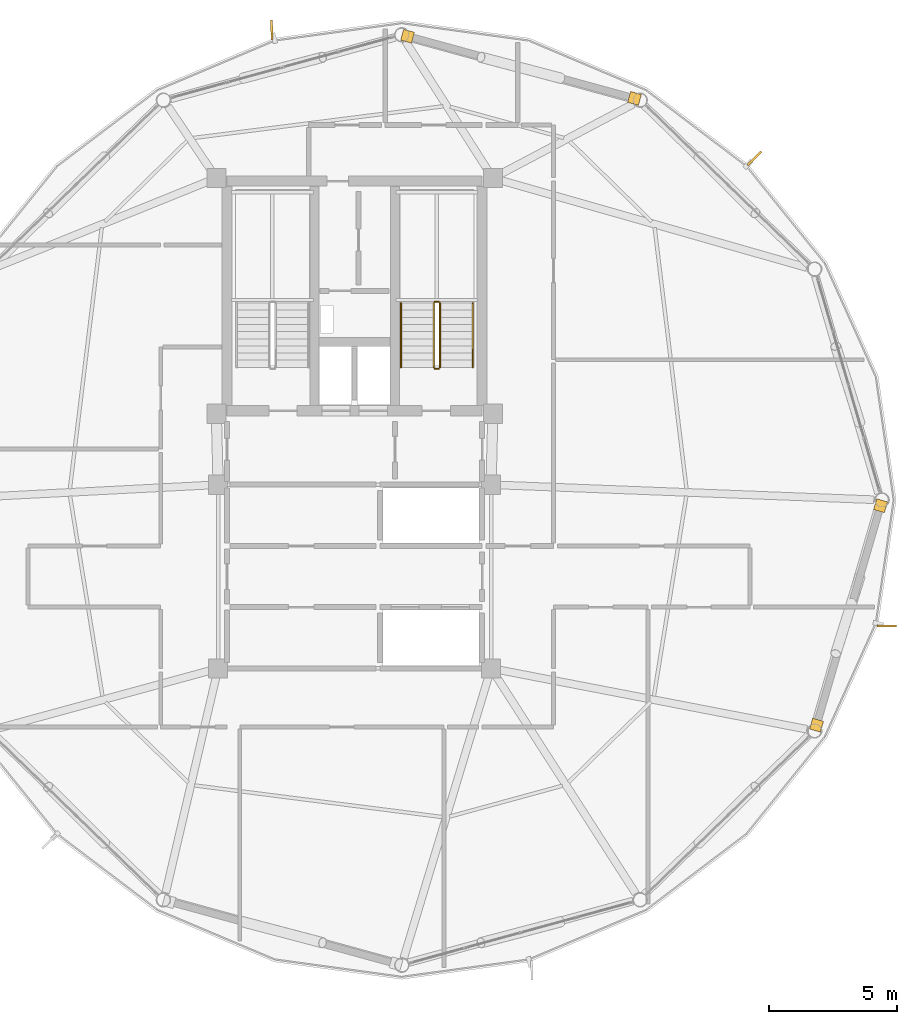
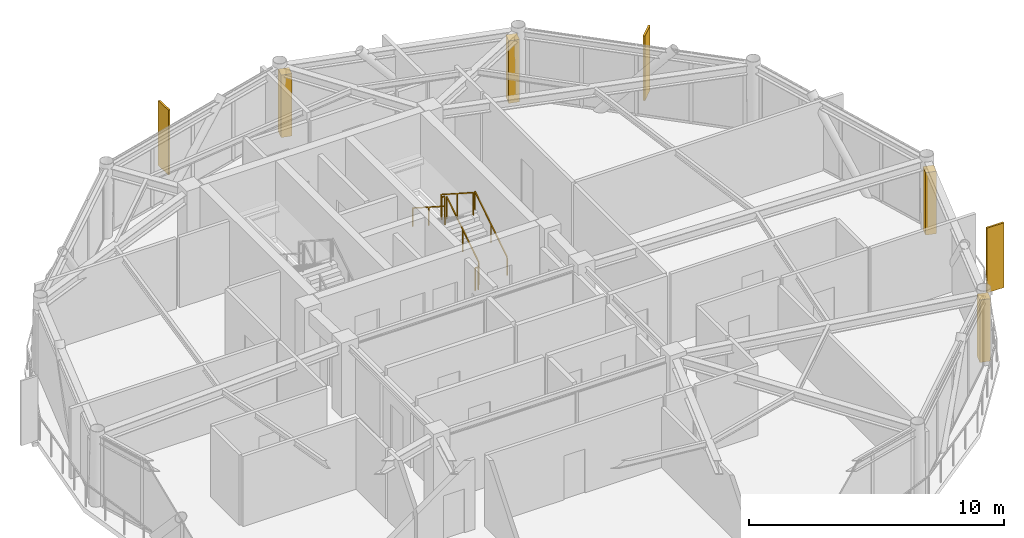
# One storey, part 27 of 27: 6 railings, 4 coverings, 3 shading devices.
"""IFC4 building model written with IfcOpenShell, lengths in metres."""

from ifc_helpers import new_model, si_unit, direction, frame, origin, origin_2d, place, context, subcontext, project, spatial, rectangle, extrude, source, transform, mapped, material, layer, layer_set, type_object, type_shapes, element, save


model = new_model("IFC4")

# Units and contexts
model_context = context("Model", 3, precision=1e-05, world=origin(), true_north=direction((0.0, 1.0)))
body_context = subcontext(model_context, "Body", "Model", "MODEL_VIEW")
ifc_project = project(units=[si_unit("LENGTHUNIT", "METRE"), si_unit("AREAUNIT", "SQUARE_METRE"), si_unit("VOLUMEUNIT", "CUBIC_METRE"), si_unit("PLANEANGLEUNIT", "RADIAN"), si_unit("MASSUNIT", "GRAM", prefix="KILO")], contexts=[model_context])

# Site, building, storey
site_placement = place(None, origin())
site = spatial("IfcSite", under=ifc_project, at=site_placement, CompositionType="ELEMENT")
building_placement = place(site_placement, origin())
building = spatial("IfcBuilding", under=site, at=building_placement, Name="Varnakorn Sky Granary", CompositionType="ELEMENT")
storey_placement = place(building_placement, frame((0.0, 0.0, 229.199951171875)))
storey = spatial("IfcBuildingStorey", under=building, at=storey_placement, Name="L58", CompositionType="ELEMENT", Elevation=229.199951171875)

# Railings
ifc_material_1 = material(Name="Brushed Stainless Steel 316", Category="steel")
railing_type_1 = type_object("IfcRailingType", Name="RL-STAIR-1100", PredefinedType="GUARDRAIL", material=ifc_material_1)
railing_1_placement = place(storey_placement, frame((6.35009765625, 5.199951171875, 0.179931640625)))
element("IfcRailing", 1, at=railing_1_placement, inside=storey, type_object=railing_type_1, Name="L58 ST-2 stair guard 1", PredefinedType="GUARDRAIL", context=body_context, shape_type="SweptSolid", body=[
    extrude(rectangle(XDim=0.048095703125, YDim=0.048095703125, at=origin_2d()), frame((0.0, 0.0, 1.076171875), z_axis=(0.0, 0.841162588446, 0.540782303519), x_axis=(-1.0, 0.0, 0.0)), (0.0, 0.0, 1.0), 2.995849609375),
    extrude(rectangle(XDim=0.0419921875, YDim=0.0419921875, at=origin_2d()), origin(), (0.0, 0.0, 1.0), 1.048095703125),
    extrude(rectangle(XDim=0.0419921875, YDim=0.0419921875, at=origin_2d()), frame((0.0, 1.260009765625, 0.81005859375)), (0.0, 0.0, 1.0), 1.048095703125),
    extrude(rectangle(XDim=0.0419921875, YDim=0.0419921875, at=origin_2d()), frame((0.0, 2.52001953125, 1.6201171875)), (0.0, 0.0, 1.0), 1.048095703125),
])
railing_2_placement = place(storey_placement, frame((6.300048828125, 7.77001953125, 1.800048828125)))
element("IfcRailing", 2, at=railing_2_placement, inside=storey, type_object=railing_type_1, Name="L58 ST-2 stair guard 2", PredefinedType="GUARDRAIL", context=body_context, shape_type="SweptSolid", body=[
    extrude(rectangle(XDim=0.048095703125, YDim=0.048095703125, at=origin_2d()), frame((0.0, 0.0, 1.076171875), z_axis=(-1.0, 0.0, 0.0), x_axis=(0.0, -1.0, 0.0)), (0.0, 0.0, 1.0), 0.150146484375),
    extrude(rectangle(XDim=0.0419921875, YDim=0.0419921875, at=origin_2d()), origin(), (0.0, 0.0, 1.0), 1.048095703125),
    extrude(rectangle(XDim=0.0419921875, YDim=0.0419921875, at=origin_2d()), frame((-0.150146484375, 0.0, 0.0)), (0.0, 0.0, 1.0), 1.048095703125),
])
railing_3_placement = place(storey_placement, frame((6.10009765625, 7.719970703125, 1.97998046875)))
element("IfcRailing", 3, at=railing_3_placement, inside=storey, type_object=railing_type_1, Name="L58 ST-2 stair guard 3", PredefinedType="GUARDRAIL", context=body_context, shape_type="SweptSolid", body=[
    extrude(rectangle(XDim=0.048095703125, YDim=0.048095703125, at=origin_2d()), frame((0.0, 0.0, 1.076171875), z_axis=(0.0, -0.841162588446, 0.540782303519), x_axis=(1.0, 0.0, 0.0)), (0.0, 0.0, 1.0), 2.995849609375),
    extrude(rectangle(XDim=0.0419921875, YDim=0.0419921875, at=origin_2d()), origin(), (0.0, 0.0, 1.0), 1.048095703125),
    extrude(rectangle(XDim=0.0419921875, YDim=0.0419921875, at=origin_2d()), frame((0.0, -1.260009765625, 0.81005859375)), (0.0, 0.0, 1.0), 1.048095703125),
    extrude(rectangle(XDim=0.0419921875, YDim=0.0419921875, at=origin_2d()), frame((0.0, -2.52001953125, 1.6201171875)), (0.0, 0.0, 1.0), 1.048095703125),
])
railing_4_placement = place(storey_placement, frame((6.300048828125, 5.14990234375, 0.0)))
element("IfcRailing", 4, at=railing_4_placement, inside=storey, type_object=railing_type_1, Name="L58 ST-2 stair guard 4", PredefinedType="GUARDRAIL", context=body_context, shape_type="SweptSolid", body=[
    extrude(rectangle(XDim=0.048095703125, YDim=0.048095703125, at=origin_2d()), frame((0.0, 0.0, 1.076171875), z_axis=(-1.0, 0.0, 0.0), x_axis=(0.0, -1.0, 0.0)), (0.0, 0.0, 1.0), 0.150146484375),
    extrude(rectangle(XDim=0.0419921875, YDim=0.0419921875, at=origin_2d()), origin(), (0.0, 0.0, 1.0), 1.048095703125),
    extrude(rectangle(XDim=0.0419921875, YDim=0.0419921875, at=origin_2d()), frame((-0.150146484375, 0.0, 0.0)), (0.0, 0.0, 1.0), 1.048095703125),
])
railing_type_2 = type_object("IfcRailingType", Name="RL-STAIR-920", PredefinedType="HANDRAIL", material=ifc_material_1)
railing_5_placement = place(storey_placement, frame((7.6298828125, 5.199951171875, 0.179931640625)))
element("IfcRailing", 5, at=railing_5_placement, inside=storey, type_object=railing_type_2, Name="L58 ST-2 stair handrail 1", PredefinedType="HANDRAIL", context=body_context, shape_type="SweptSolid", body=[
    extrude(rectangle(XDim=0.048095703125, YDim=0.048095703125, at=origin_2d()), frame((0.0, 0.0, 0.8759765625), z_axis=(0.0, 0.841162588446, 0.540782303519), x_axis=(-1.0, 0.0, 0.0)), (0.0, 0.0, 1.0), 2.995849609375),
    extrude(rectangle(XDim=0.0419921875, YDim=0.0419921875, at=origin_2d()), origin(), (0.0, 0.0, 1.0), 0.847900390625),
    extrude(rectangle(XDim=0.0419921875, YDim=0.0419921875, at=origin_2d()), frame((0.0, 1.260009765625, 0.81005859375)), (0.0, 0.0, 1.0), 0.847900390625),
    extrude(rectangle(XDim=0.0419921875, YDim=0.0419921875, at=origin_2d()), frame((0.0, 2.52001953125, 1.6201171875)), (0.0, 0.0, 1.0), 0.847900390625),
])
railing_6_placement = place(storey_placement, frame((4.820068359375, 7.719970703125, 1.97998046875)))
element("IfcRailing", 6, at=railing_6_placement, inside=storey, type_object=railing_type_2, Name="L58 ST-2 stair handrail 2", PredefinedType="HANDRAIL", context=body_context, shape_type="SweptSolid", body=[
    extrude(rectangle(XDim=0.048095703125, YDim=0.048095703125, at=origin_2d()), frame((0.0, 0.0, 0.8759765625), z_axis=(0.0, -0.841162588446, 0.540782303519), x_axis=(1.0, 0.0, 0.0)), (0.0, 0.0, 1.0), 2.995849609375),
    extrude(rectangle(XDim=0.0419921875, YDim=0.0419921875, at=origin_2d()), origin(), (0.0, 0.0, 1.0), 0.847900390625),
    extrude(rectangle(XDim=0.0419921875, YDim=0.0419921875, at=origin_2d()), frame((0.0, -1.260009765625, 0.81005859375)), (0.0, 0.0, 1.0), 0.847900390625),
    extrude(rectangle(XDim=0.0419921875, YDim=0.0419921875, at=origin_2d()), frame((0.0, -2.52001953125, 1.6201171875)), (0.0, 0.0, 1.0), 0.847900390625),
])

# Coverings
ifc_material_2 = material(Name="Anodised Bronze Aluminium Alloy 6063-T6", Category="aluminium")
ifc_layer = layer(ifc_material_2, 0.050048828125, Name="Anodised Bronze Aluminium Alloy 6063-T6")
ifc_layer_set = layer_set([ifc_layer], Name="Anodised Bronze Aluminium Alloy 6063-T6")
covering_type = type_object("IfcCoveringType", Name="CV-CLAD-50", PredefinedType="CLADDING", material=ifc_layer_set)
shared_shape_1 = source(origin(), body_context, "Body", "SweptSolid", [
    extrude(rectangle(XDim=0.43994140625, YDim=0.43994140625, at=origin_2d()), origin(), (0.0, 0.0, 1.0), 2.989990234375),
])
type_shapes(covering_type, [shared_shape_1])
for number, where, z_axis, x_axis, name in (
    (7, (5.076171875, 18.18017578125, -0.02001953125), (0.0, 0.0, 1.0), (0.964465250625, -0.264209727938, 0.0), "Bronze Corner Pilaster Closure L58-P03-A"),
    (8, (13.973388671875, 15.742919921875, -0.02001953125), (0.0, 0.0, 1.0), (0.964465250625, -0.264209727938, 0.0), "Bronze Corner Pilaster Closure L58-P03-B"),
    (9, (23.618408203125, -0.22509765625, -0.02001953125), (0.0, 0.0, 1.0), (-0.279996570078, -0.960001000387, 0.0), "Bronze Corner Pilaster Closure L58-P12-A"),
    (10, (21.109619140625, -8.828369140625, -0.02001953125), (0.0, 0.0, 1.0), (-0.279996570078, -0.960001000387, 0.0), "Bronze Corner Pilaster Closure L58-P12-B"),
):
    element("IfcCovering", number, at=place(storey_placement, frame(where, z_axis=z_axis, x_axis=x_axis)), inside=storey, type_object=covering_type, Name=name, PredefinedType="CLADDING", context=body_context, shape_type="MappedRepresentation", body=[
        mapped(shared_shape_1, transform((0.0, 0.0, 0.0), x_axis=(1.0, 0.0, 0.0), y_axis=(0.0, 1.0, 0.0), z_axis=(0.0, 0.0, 1.0), scale=1.0)),
    ])

# Shading devices
shading_device_type = type_object("IfcShadingDeviceType", Name="SH-FIN-03", PredefinedType="USERDEFINED", material=ifc_material_2)
shared_shape_2 = source(origin(), body_context, "Body", "SweptSolid", [
    extrude(rectangle(XDim=0.0849609375, YDim=0.760009765625, at=origin_2d()), origin(), (0.0, 0.0, 1.0), 3.10009765625),
])
type_shapes(shading_device_type, [shared_shape_2])
for number, where, z_axis, x_axis, name in (
    (11, (18.6748046875, 13.39599609375, -0.0400390625), (0.0, 0.0, 1.0), (-0.702170791585, 0.71200855293, 0.0), "Bronze Solar-Tracking Vertical Blade FIN L58-02"),
    (12, (-0.246826171875, 18.435791015625, -0.0400390625), (0.0, 0.0, 1.0), (-0.999546145264, -0.030124798544, 0.0), "Bronze Solar-Tracking Vertical Blade FIN L58-04"),
    (13, (23.859375, -4.9365234375, -0.0400390625), (0.0, 0.0, 1.0), (0.010115894457, 0.999948833031, 0.0), "Bronze Solar-Tracking Vertical Blade FIN L58-12"),
):
    element("IfcShadingDevice", number, at=place(storey_placement, frame(where, z_axis=z_axis, x_axis=x_axis)), inside=storey, type_object=shading_device_type, Name=name, ObjectType="FIN", PredefinedType="USERDEFINED", context=body_context, shape_type="MappedRepresentation", body=[
        mapped(shared_shape_2, transform((0.0, 0.0, 0.0), x_axis=(1.0, 0.0, 0.0), y_axis=(0.0, 1.0, 0.0), z_axis=(0.0, 0.0, 1.0), scale=1.0)),
    ])

save(model, "model.ifc")
